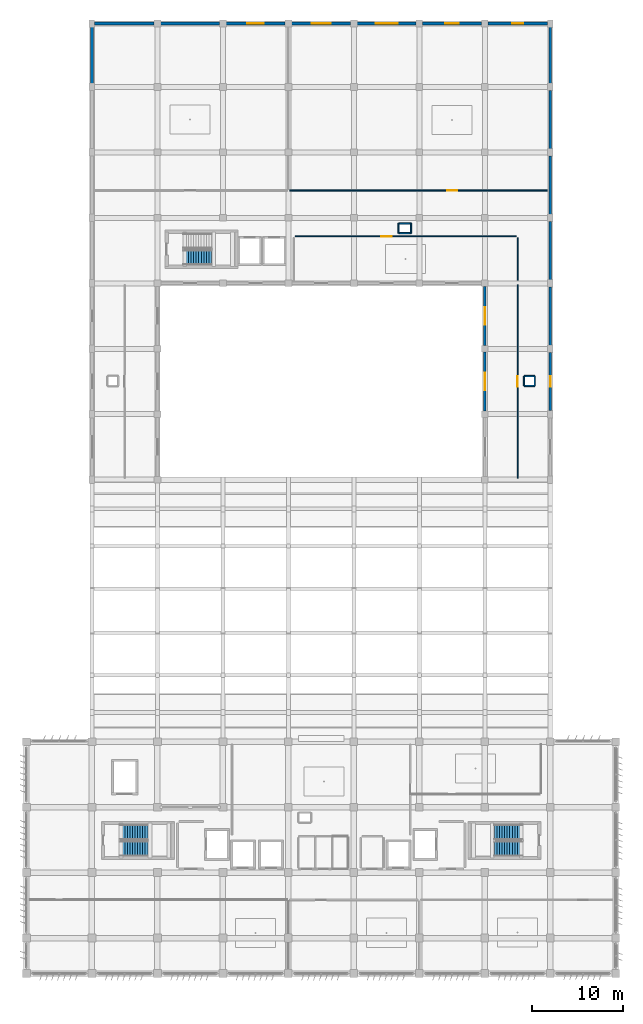
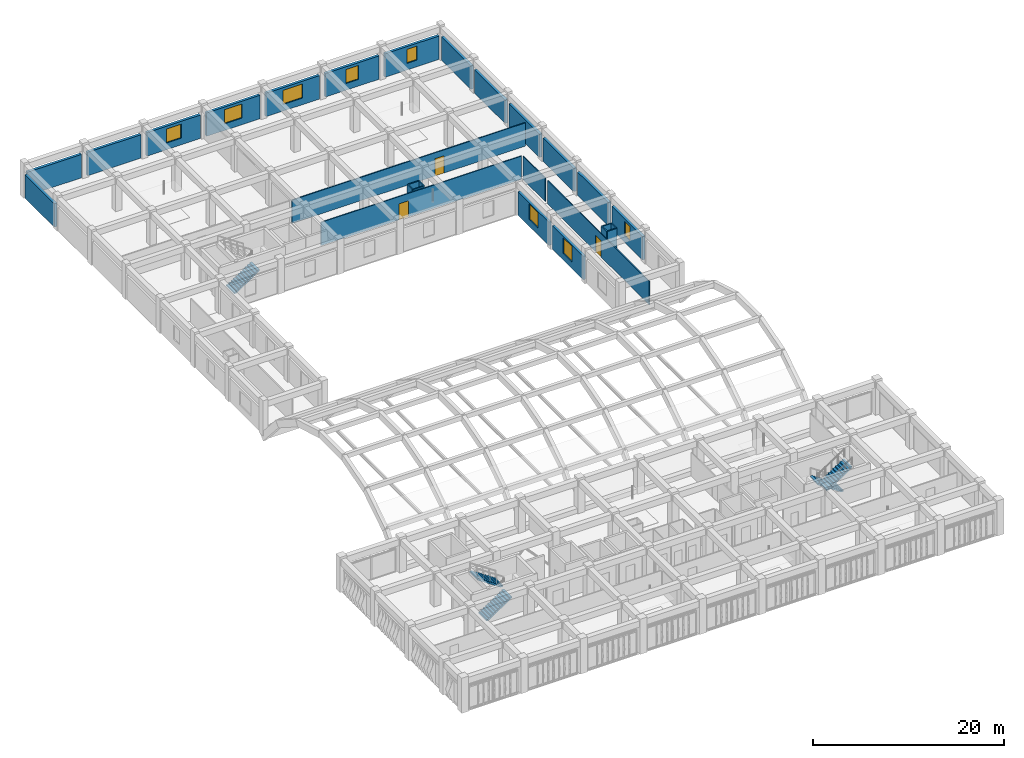
# One storey, part 31 of 48: 28 walls, 8 windows, 5 stair flights, 3 doors, 11 openings, 3 elements without a shape of their own.
"""IFC4 building model written with IfcOpenShell, lengths in metres."""

from ifc_helpers import new_model, si_unit, direction, frame, frame_2d, origin, place, context, subcontext, project, spatial, polyline, rectangle, outline, extrude, material, layer, layer_set, type_object, element, fill, aggregate, save


model = new_model("IFC4")

# Units and contexts
model_context = context("Model", 3, precision=1e-05, world=origin(), true_north=direction((0.0, 1.0)))
body_context = subcontext(model_context, "Body", "Model", "MODEL_VIEW")
ifc_project = project(units=[si_unit("LENGTHUNIT", "METRE"), si_unit("AREAUNIT", "SQUARE_METRE"), si_unit("VOLUMEUNIT", "CUBIC_METRE"), si_unit("PLANEANGLEUNIT", "RADIAN"), si_unit("MASSUNIT", "GRAM", prefix="KILO")], contexts=[model_context])

# Site, building, storey
site_placement = place(None, origin())
site = spatial("IfcSite", under=ifc_project, at=site_placement, CompositionType="ELEMENT")
building_placement = place(site_placement, origin())
building = spatial("IfcBuilding", under=site, at=building_placement, Name="Kazehaya Institute of Natural Sciences", CompositionType="ELEMENT")
storey_placement = place(building_placement, frame((0.0, 0.0, 19.800048828125)))
storey = spatial("IfcBuildingStorey", under=building, at=storey_placement, Name="L04", CompositionType="ELEMENT", Elevation=19.800048828125)

# Wall, opening, window
ifc_material_1 = material(Name="Precast concrete Fc36", Category="concrete")
ifc_layer_1 = layer(ifc_material_1, 0.31005859375, Name="Precast concrete Fc36", Category="concrete")
ifc_layer_set_1 = layer_set([ifc_layer_1], Name="Precast concrete Fc36")
wall_type_1 = type_object("IfcWallType", Name="WL-EXT-310", PredefinedType="SOLIDWALL", material=ifc_layer_set_1)
wall_1_placement = place(storey_placement, frame((105.0, 71.9599609375, 0.0), z_axis=(0.0, 0.0, 1.0), x_axis=(0.0, 1.0, 0.0)))
wall_1 = element("IfcWall", 1, at=wall_1_placement, inside=storey, type_object=wall_type_1, Name="L04 exterior wall EW-L04-0276", PredefinedType="SOLIDWALL", context=body_context, shape_type="SweptSolid", body=[
    extrude(rectangle(XDim=6.47998046875, YDim=0.31005859375, at=frame_2d((3.239990234375, 0.0))), origin(), (0.0, 0.0, 1.0), 3.0),
])
opening_1_placement = place(wall_1_placement, frame((2.2900390625, 0.0, 0.85009765625)))
opening_1 = element("IfcOpeningElement", 2, at=opening_1_placement, cuts=wall_1, Name="Opening W23", PredefinedType="OPENING", context=body_context, shape_type="SweptSolid", body=[
    extrude(rectangle(XDim=1.89990234375, YDim=2.0, at=frame_2d((0.949951171875, 1.0))), frame((0.0, 0.1650390625, 0.0), z_axis=(0.0, -1.0, 0.0), x_axis=(1.0, 0.0, 0.0)), (0.0, 0.0, 1.0), 0.330078125),
])
ifc_material_2 = material(Name="Low-E double-glazed aluminium window", Category="aluminium")
window_type_1 = type_object("IfcWindowType", Name="WN-23", PartitioningType="DOUBLE_PANEL_VERTICAL", PredefinedType="WINDOW", material=ifc_material_2)
window_1_placement = place(opening_1_placement, origin())
window_1 = element("IfcWindow", 3, at=window_1_placement, inside=storey, type_object=window_type_1, Name="L04 facade window 0176", OverallHeight=2.0, OverallWidth=1.89990234375, PartitioningType="DOUBLE_PANEL_VERTICAL", PredefinedType="WINDOW", context=body_context, shape_type="SweptSolid", body=[
    extrude(rectangle(XDim=1.89990234375, YDim=2.0, at=frame_2d((0.949951171875, 1.0))), frame((0.0, 0.030029296875, 0.0), z_axis=(0.0, -1.0, 0.0), x_axis=(1.0, 0.0, 0.0)), (0.0, 0.0, 1.0), 0.06005859375),
])
fill(opening_1, window_1)

wall_2_placement = place(storey_placement, frame((105.0, 79.159912109375, 0.0), z_axis=(0.0, 0.0, 1.0), x_axis=(0.0, 1.0, 0.0)))
wall_2 = element("IfcWall", 4, at=wall_2_placement, inside=storey, type_object=wall_type_1, Name="L04 exterior wall EW-L04-0280", PredefinedType="SOLIDWALL", context=body_context, shape_type="SweptSolid", body=[
    extrude(rectangle(XDim=6.47998046875, YDim=0.31005859375, at=frame_2d((3.239990234375, 0.0))), origin(), (0.0, 0.0, 1.0), 3.0),
])
opening_2_placement = place(wall_2_placement, frame((2.2900390625, 0.0, 0.85009765625)))
opening_2 = element("IfcOpeningElement", 5, at=opening_2_placement, cuts=wall_2, Name="Opening W23", PredefinedType="OPENING", context=body_context, shape_type="SweptSolid", body=[
    extrude(rectangle(XDim=1.89990234375, YDim=2.0, at=frame_2d((0.949951171875, 1.0))), frame((0.0, 0.1650390625, 0.0), z_axis=(0.0, -1.0, 0.0), x_axis=(1.0, 0.0, 0.0)), (0.0, 0.0, 1.0), 0.330078125),
])
window_2_placement = place(opening_2_placement, origin())
window_2 = element("IfcWindow", 6, at=window_2_placement, inside=storey, type_object=window_type_1, Name="L04 facade window 0179", OverallHeight=2.0, OverallWidth=1.89990234375, PartitioningType="DOUBLE_PANEL_VERTICAL", PredefinedType="WINDOW", context=body_context, shape_type="SweptSolid", body=[
    extrude(rectangle(XDim=1.89990234375, YDim=2.0, at=frame_2d((0.949951171875, 1.0))), frame((0.0, 0.030029296875, 0.0), z_axis=(0.0, -1.0, 0.0), x_axis=(1.0, 0.0, 0.0)), (0.0, 0.0, 1.0), 0.06005859375),
])
fill(opening_2, window_2)

ifc_layer_2 = layer(ifc_material_1, 0.320068359375, Name="Precast concrete Fc36", Category="concrete")
ifc_layer_set_2 = layer_set([ifc_layer_2], Name="Precast concrete Fc36")
wall_type_2 = type_object("IfcWallType", Name="WL-EXT-320", PredefinedType="SOLIDWALL", material=ifc_layer_set_2)
wall_3_placement = place(storey_placement, frame((112.199951171875, 78.4150390625, 0.0), z_axis=(0.0, 0.0, 1.0), x_axis=(0.0, -1.0, 0.0)))
wall_3 = element("IfcWall", 7, at=wall_3_placement, inside=storey, type_object=wall_type_2, Name="L04 exterior wall EW-L04-0274", PredefinedType="SOLIDWALL", context=body_context, shape_type="SweptSolid", body=[
    extrude(rectangle(XDim=6.429931640625, YDim=0.320068359375, at=frame_2d((3.21484375, 0.0))), origin(), (0.0, 0.0, 1.0), 3.0),
])
opening_3_placement = place(wall_3_placement, frame((2.614990234375, 0.0, 0.85009765625)))
opening_3 = element("IfcOpeningElement", 8, at=opening_3_placement, cuts=wall_3, Name="Opening W15", PredefinedType="OPENING", context=body_context, shape_type="SweptSolid", body=[
    extrude(rectangle(XDim=1.199951171875, YDim=1.800048828125, at=frame_2d((0.60009765625, 0.89990234375))), frame((0.0, 0.169921875, 0.0), z_axis=(0.0, -1.0, 0.0), x_axis=(1.0, 0.0, 0.0)), (0.0, 0.0, 1.0), 0.340087890625),
])
window_type_2 = type_object("IfcWindowType", Name="WN-15", PartitioningType="SINGLE_PANEL", PredefinedType="WINDOW", material=ifc_material_2)
window_3_placement = place(opening_3_placement, origin())
window_3 = element("IfcWindow", 9, at=window_3_placement, inside=storey, type_object=window_type_2, Name="L04 facade window 0174", OverallHeight=1.800048828125, OverallWidth=1.199951171875, PartitioningType="SINGLE_PANEL", PredefinedType="WINDOW", context=body_context, shape_type="SweptSolid", body=[
    extrude(rectangle(XDim=1.199951171875, YDim=1.800048828125, at=frame_2d((0.60009765625, 0.89990234375))), frame((0.0, 0.030029296875, 0.0), z_axis=(0.0, -1.0, 0.0), x_axis=(1.0, 0.0, 0.0)), (0.0, 0.0, 1.0), 0.06005859375),
])
fill(opening_3, window_3)

# Walls
for number, where, z_axis, x_axis, name in (
    (10, (112.199951171875, 85.614990234375, 0.0), (0.0, 0.0, 1.0), (0.0, -1.0, 0.0), "L04 exterior wall EW-L04-0278"),
    (11, (112.199951171875, 92.81494140625, 0.0), (0.0, 0.0, 1.0), (0.0, -1.0, 0.0), "L04 exterior wall EW-L04-0282"),
    (12, (112.199951171875, 100.014892578125, 0.0), (0.0, 0.0, 1.0), (0.0, -1.0, 0.0), "L04 exterior wall EW-L04-0284"),
):
    element("IfcWall", number, at=place(storey_placement, frame(where, z_axis=z_axis, x_axis=x_axis)), inside=storey, type_object=wall_type_2, Name=name, PredefinedType="SOLIDWALL", context=body_context, shape_type="SweptSolid", body=[
        extrude(rectangle(XDim=6.429931640625, YDim=0.320068359375, at=frame_2d((3.21484375, 0.0))), origin(), (0.0, 0.0, 1.0), 3.0),
    ])
wall_4_placement = place(storey_placement, frame((112.199951171875, 107.215087890625, 0.0), z_axis=(0.0, 0.0, 1.0), x_axis=(0.0, -1.0, 0.0)))
element("IfcWall", 13, at=wall_4_placement, inside=storey, type_object=wall_type_2, Name="L04 exterior wall EW-L04-0286", PredefinedType="SOLIDWALL", context=body_context, shape_type="SweptSolid", body=[
    extrude(rectangle(XDim=6.43017578125, YDim=0.320068359375, at=frame_2d((3.215087890625, 0.0))), origin(), (0.0, 0.0, 1.0), 3.0),
])
for number, where, z_axis, x_axis, name in (
    (14, (61.800048828125, 107.985107421875, 0.0), (0.0, 0.0, 1.0), (0.0, 1.0, 0.0), "L04 exterior wall EW-L04-0287"),
    (15, (112.199951171875, 114.1650390625, 0.0), (0.0, 0.0, 1.0), (0.0, -1.0, 0.0), "L04 exterior wall EW-L04-0288"),
):
    element("IfcWall", number, at=place(storey_placement, frame(where, z_axis=z_axis, x_axis=x_axis)), inside=storey, type_object=wall_type_2, Name=name, PredefinedType="SOLIDWALL", context=body_context, shape_type="SweptSolid", body=[
        extrude(rectangle(XDim=6.179931640625, YDim=0.320068359375, at=frame_2d((3.08984375, 0.0))), origin(), (0.0, 0.0, 1.0), 3.0),
    ])
wall_5_placement = place(storey_placement, frame((62.0849609375, 114.550048828125, 0.0), z_axis=(0.0, 0.0, 1.0), x_axis=(1.0, 0.0, 0.0)))
element("IfcWall", 16, at=wall_5_placement, inside=storey, type_object=wall_type_2, Name="L04 exterior wall EW-L04-0289", PredefinedType="SOLIDWALL", context=body_context, shape_type="SweptSolid", body=[
    extrude(rectangle(XDim=6.554931640625, YDim=0.320068359375, at=frame_2d((3.27734375, 0.0))), origin(), (0.0, 0.0, 1.0), 3.0),
])
wall_6_placement = place(storey_placement, frame((69.360107421875, 114.550048828125, 0.0), z_axis=(0.0, 0.0, 1.0), x_axis=(1.0, 0.0, 0.0)))
element("IfcWall", 17, at=wall_6_placement, inside=storey, type_object=wall_type_2, Name="L04 exterior wall EW-L04-0290", PredefinedType="SOLIDWALL", context=body_context, shape_type="SweptSolid", body=[
    extrude(rectangle(XDim=6.47998046875, YDim=0.320068359375, at=frame_2d((3.239990234375, 0.0))), origin(), (0.0, 0.0, 1.0), 3.0),
])

# Wall, opening, window
wall_7_placement = place(storey_placement, frame((76.56005859375, 114.550048828125, 0.0), z_axis=(0.0, 0.0, 1.0), x_axis=(1.0, 0.0, 0.0)))
wall_7 = element("IfcWall", 18, at=wall_7_placement, inside=storey, type_object=wall_type_2, Name="L04 exterior wall EW-L04-0291", PredefinedType="SOLIDWALL", context=body_context, shape_type="SweptSolid", body=[
    extrude(rectangle(XDim=6.47998046875, YDim=0.320068359375, at=frame_2d((3.239990234375, 0.0))), origin(), (0.0, 0.0, 1.0), 3.0),
])
opening_4_placement = place(wall_7_placement, frame((2.340087890625, 0.0, 0.85009765625)))
opening_4 = element("IfcOpeningElement", 19, at=opening_4_placement, cuts=wall_7, Name="Opening W11", PredefinedType="OPENING", context=body_context, shape_type="SweptSolid", body=[
    extrude(rectangle(XDim=1.800048828125, YDim=1.800048828125, at=frame_2d((0.89990234375, 0.89990234375))), frame((0.0, 0.169921875, 0.0), z_axis=(0.0, -1.0, 0.0), x_axis=(1.0, 0.0, 0.0)), (0.0, 0.0, 1.0), 0.340087890625),
])
window_type_3 = type_object("IfcWindowType", Name="WN-11", PartitioningType="DOUBLE_PANEL_VERTICAL", PredefinedType="WINDOW", material=ifc_material_2)
window_4_placement = place(opening_4_placement, origin())
window_4 = element("IfcWindow", 20, at=window_4_placement, inside=storey, type_object=window_type_3, Name="L04 facade window 0180", OverallHeight=1.800048828125, OverallWidth=1.800048828125, PartitioningType="DOUBLE_PANEL_VERTICAL", PredefinedType="WINDOW", context=body_context, shape_type="SweptSolid", body=[
    extrude(rectangle(XDim=1.800048828125, YDim=1.800048828125, at=frame_2d((0.89990234375, 0.89990234375))), frame((0.0, 0.030029296875, 0.0), z_axis=(0.0, -1.0, 0.0), x_axis=(1.0, 0.0, 0.0)), (0.0, 0.0, 1.0), 0.06005859375),
])
fill(opening_4, window_4)

wall_8_placement = place(storey_placement, frame((83.760009765625, 114.550048828125, 0.0), z_axis=(0.0, 0.0, 1.0), x_axis=(1.0, 0.0, 0.0)))
wall_8 = element("IfcWall", 21, at=wall_8_placement, inside=storey, type_object=wall_type_2, Name="L04 exterior wall EW-L04-0292", PredefinedType="SOLIDWALL", context=body_context, shape_type="SweptSolid", body=[
    extrude(rectangle(XDim=6.47998046875, YDim=0.320068359375, at=frame_2d((3.239990234375, 0.0))), origin(), (0.0, 0.0, 1.0), 3.0),
])
opening_5_placement = place(wall_8_placement, frame((2.18994140625, 0.0, 0.85009765625)))
opening_5 = element("IfcOpeningElement", 22, at=opening_5_placement, cuts=wall_8, Name="Opening W12", PredefinedType="OPENING", context=body_context, shape_type="SweptSolid", body=[
    extrude(rectangle(XDim=2.10009765625, YDim=1.800048828125, at=frame_2d((1.050048828125, 0.89990234375))), frame((0.0, 0.169921875, 0.0), z_axis=(0.0, -1.0, 0.0), x_axis=(1.0, 0.0, 0.0)), (0.0, 0.0, 1.0), 0.340087890625),
])
window_type_4 = type_object("IfcWindowType", Name="WN-12", PartitioningType="DOUBLE_PANEL_VERTICAL", PredefinedType="WINDOW", material=ifc_material_2)
window_5_placement = place(opening_5_placement, origin())
window_5 = element("IfcWindow", 23, at=window_5_placement, inside=storey, type_object=window_type_4, Name="L04 facade window 0181", OverallHeight=1.800048828125, OverallWidth=2.10009765625, PartitioningType="DOUBLE_PANEL_VERTICAL", PredefinedType="WINDOW", context=body_context, shape_type="SweptSolid", body=[
    extrude(rectangle(XDim=2.10009765625, YDim=1.800048828125, at=frame_2d((1.050048828125, 0.89990234375))), frame((0.0, 0.030029296875, 0.0), z_axis=(0.0, -1.0, 0.0), x_axis=(1.0, 0.0, 0.0)), (0.0, 0.0, 1.0), 0.06005859375),
])
fill(opening_5, window_5)

wall_9_placement = place(storey_placement, frame((90.9599609375, 114.550048828125, 0.0), z_axis=(0.0, 0.0, 1.0), x_axis=(1.0, 0.0, 0.0)))
wall_9 = element("IfcWall", 24, at=wall_9_placement, inside=storey, type_object=wall_type_2, Name="L04 exterior wall EW-L04-0293", PredefinedType="SOLIDWALL", context=body_context, shape_type="SweptSolid", body=[
    extrude(rectangle(XDim=6.47998046875, YDim=0.320068359375, at=frame_2d((3.239990234375, 0.0))), origin(), (0.0, 0.0, 1.0), 3.0),
])
opening_6_placement = place(wall_9_placement, frame((2.0400390625, 0.0, 0.85009765625)))
opening_6 = element("IfcOpeningElement", 25, at=opening_6_placement, cuts=wall_9, Name="Opening W13", PredefinedType="OPENING", context=body_context, shape_type="SweptSolid", body=[
    extrude(rectangle(XDim=2.39990234375, YDim=1.800048828125, at=frame_2d((1.199951171875, 0.89990234375))), frame((0.0, 0.169921875, 0.0), z_axis=(0.0, -1.0, 0.0), x_axis=(1.0, 0.0, 0.0)), (0.0, 0.0, 1.0), 0.340087890625),
])
window_type_5 = type_object("IfcWindowType", Name="WN-13", PartitioningType="DOUBLE_PANEL_VERTICAL", PredefinedType="WINDOW", material=ifc_material_2)
window_6_placement = place(opening_6_placement, origin())
window_6 = element("IfcWindow", 26, at=window_6_placement, inside=storey, type_object=window_type_5, Name="L04 facade window 0182", OverallHeight=1.800048828125, OverallWidth=2.39990234375, PartitioningType="DOUBLE_PANEL_VERTICAL", PredefinedType="WINDOW", context=body_context, shape_type="SweptSolid", body=[
    extrude(rectangle(XDim=2.39990234375, YDim=1.800048828125, at=frame_2d((1.199951171875, 0.89990234375))), frame((0.0, 0.030029296875, 0.0), z_axis=(0.0, -1.0, 0.0), x_axis=(1.0, 0.0, 0.0)), (0.0, 0.0, 1.0), 0.06005859375),
])
fill(opening_6, window_6)

wall_10_placement = place(storey_placement, frame((98.159912109375, 114.550048828125, 0.0), z_axis=(0.0, 0.0, 1.0), x_axis=(1.0, 0.0, 0.0)))
wall_10 = element("IfcWall", 27, at=wall_10_placement, inside=storey, type_object=wall_type_2, Name="L04 exterior wall EW-L04-0294", PredefinedType="SOLIDWALL", context=body_context, shape_type="SweptSolid", body=[
    extrude(rectangle(XDim=6.47998046875, YDim=0.320068359375, at=frame_2d((3.239990234375, 0.0))), origin(), (0.0, 0.0, 1.0), 3.0),
])
opening_7_placement = place(wall_10_placement, frame((2.489990234375, 0.0, 0.85009765625)))
opening_7 = element("IfcOpeningElement", 28, at=opening_7_placement, cuts=wall_10, Name="Opening W14", PredefinedType="OPENING", context=body_context, shape_type="SweptSolid", body=[
    extrude(rectangle(XDim=1.5, YDim=1.800048828125, at=frame_2d((0.75, 0.89990234375))), frame((0.0, 0.169921875, 0.0), z_axis=(0.0, -1.0, 0.0), x_axis=(1.0, 0.0, 0.0)), (0.0, 0.0, 1.0), 0.340087890625),
])
window_type_6 = type_object("IfcWindowType", Name="WN-14", PartitioningType="SINGLE_PANEL", PredefinedType="WINDOW", material=ifc_material_2)
window_7_placement = place(opening_7_placement, origin())
window_7 = element("IfcWindow", 29, at=window_7_placement, inside=storey, type_object=window_type_6, Name="L04 facade window 0183", OverallHeight=1.800048828125, OverallWidth=1.5, PartitioningType="SINGLE_PANEL", PredefinedType="WINDOW", context=body_context, shape_type="SweptSolid", body=[
    extrude(rectangle(XDim=1.5, YDim=1.800048828125, at=frame_2d((0.75, 0.89990234375))), frame((0.0, 0.030029296875, 0.0), z_axis=(0.0, -1.0, 0.0), x_axis=(1.0, 0.0, 0.0)), (0.0, 0.0, 1.0), 0.06005859375),
])
fill(opening_7, window_7)

wall_11_placement = place(storey_placement, frame((105.360107421875, 114.550048828125, 0.0), z_axis=(0.0, 0.0, 1.0), x_axis=(1.0, 0.0, 0.0)))
wall_11 = element("IfcWall", 30, at=wall_11_placement, inside=storey, type_object=wall_type_2, Name="L04 exterior wall EW-L04-0295", PredefinedType="SOLIDWALL", context=body_context, shape_type="SweptSolid", body=[
    extrude(rectangle(XDim=6.554931640625, YDim=0.320068359375, at=frame_2d((3.27734375, 0.0))), origin(), (0.0, 0.0, 1.0), 3.0),
])
opening_8_placement = place(wall_11_placement, frame((2.677490234375, 0.0, 0.85009765625)))
opening_8 = element("IfcOpeningElement", 31, at=opening_8_placement, cuts=wall_11, Name="Opening W15", PredefinedType="OPENING", context=body_context, shape_type="SweptSolid", body=[
    extrude(rectangle(XDim=1.199951171875, YDim=1.800048828125, at=frame_2d((0.60009765625, 0.89990234375))), frame((0.0, 0.169921875, 0.0), z_axis=(0.0, -1.0, 0.0), x_axis=(1.0, 0.0, 0.0)), (0.0, 0.0, 1.0), 0.340087890625),
])
window_8_placement = place(opening_8_placement, origin())
window_8 = element("IfcWindow", 32, at=window_8_placement, inside=storey, type_object=window_type_2, Name="L04 facade window 0184", OverallHeight=1.800048828125, OverallWidth=1.199951171875, PartitioningType="SINGLE_PANEL", PredefinedType="WINDOW", context=body_context, shape_type="SweptSolid", body=[
    extrude(rectangle(XDim=1.199951171875, YDim=1.800048828125, at=frame_2d((0.60009765625, 0.89990234375))), frame((0.0, 0.030029296875, 0.0), z_axis=(0.0, -1.0, 0.0), x_axis=(1.0, 0.0, 0.0)), (0.0, 0.0, 1.0), 0.06005859375),
])
fill(opening_8, window_8)

# Wall, opening, door
ifc_material_3 = material(Name="Glazed office demountable partition")
ifc_layer_3 = layer(ifc_material_3, 0.110107421875, Name="Glazed office demountable partition")
ifc_layer_set_3 = layer_set([ifc_layer_3], Name="Glazed office demountable partition")
wall_type_3 = type_object("IfcWallType", Name="WL-PART-110", PredefinedType="PARTITIONING", material=ifc_layer_set_3)
wall_12_placement = place(storey_placement, frame((108.60009765625, 85.85009765625, 0.0), z_axis=(0.0, 0.0, 1.0), x_axis=(0.0, -1.0, 0.0)))
wall_12 = element("IfcWall", 33, at=wall_12_placement, inside=storey, type_object=wall_type_3, Name="L04 Researcher Write-up Office partition IW-L04-0247", PredefinedType="PARTITIONING", context=body_context, shape_type="SweptSolid", body=[
    extrude(rectangle(XDim=21.300048828125, YDim=0.110107421875, at=frame_2d((10.64990234375, 0.0))), origin(), (0.0, 0.0, 1.0), 2.97998046875),
])
opening_9_placement = place(wall_12_placement, frame((10.094970703125, 0.0, 0.0)))
opening_9 = element("IfcOpeningElement", 34, at=opening_9_placement, cuts=wall_12, Name="Opening D-L04-0150", PredefinedType="OPENING", context=body_context, shape_type="SweptSolid", body=[
    extrude(rectangle(XDim=1.110107421875, YDim=2.10009765625, at=frame_2d((0.55517578125, 1.050048828125))), frame((0.0, 0.06494140625, 0.0), z_axis=(0.0, -1.0, 0.0), x_axis=(1.0, 0.0, 0.0)), (0.0, 0.0, 1.0), 0.130126953125),
])
ifc_material_4 = material(Name="Flush timber and aluminium laboratory door", Category="wood")
door_type_1 = type_object("IfcDoorType", Name="DT-INT-26", OperationType="NOTDEFINED", PredefinedType="DOOR", material=ifc_material_4)
door_1_placement = place(opening_9_placement, origin())
door_1 = element("IfcDoor", 35, at=door_1_placement, inside=storey, type_object=door_type_1, Name="L04 Researcher Write-up Office door D-L04-0150", OperationType="SINGLE_SWING_RIGHT", OverallHeight=2.10009765625, OverallWidth=1.110107421875, PredefinedType="DOOR", context=body_context, shape_type="SweptSolid", body=[
    extrude(rectangle(XDim=1.110107421875, YDim=2.10009765625, at=frame_2d((0.55517578125, 1.050048828125))), frame((0.0, 0.02490234375, 0.0), z_axis=(0.0, -1.0, 0.0), x_axis=(1.0, 0.0, 0.0)), (0.0, 0.0, 1.0), 0.050048828125),
])
fill(opening_9, door_1)

wall_13_placement = place(storey_placement, frame((84.14990234375, 91.14990234375, 0.0), z_axis=(0.0, 0.0, 1.0), x_axis=(1.0, 0.0, 0.0)))
wall_13 = element("IfcWall", 36, at=wall_13_placement, inside=storey, type_object=wall_type_3, Name="L04 Researcher Write-up Office partition IW-L04-0251", PredefinedType="PARTITIONING", context=body_context, shape_type="SweptSolid", body=[
    extrude(rectangle(XDim=24.300048828125, YDim=0.110107421875, at=frame_2d((12.14990234375, 0.0))), origin(), (0.0, 0.0, 1.0), 2.97998046875),
])
opening_10_placement = place(wall_13_placement, frame((9.47509765625, 0.0, 0.0)))
opening_10 = element("IfcOpeningElement", 37, at=opening_10_placement, cuts=wall_13, Name="Opening D-L04-0153", PredefinedType="OPENING", context=body_context, shape_type="SweptSolid", body=[
    extrude(rectangle(XDim=1.14990234375, YDim=2.050048828125, at=frame_2d((0.574951171875, 1.02490234375))), frame((0.0, 0.06494140625, 0.0), z_axis=(0.0, -1.0, 0.0), x_axis=(1.0, 0.0, 0.0)), (0.0, 0.0, 1.0), 0.130126953125),
])
door_type_2 = type_object("IfcDoorType", Name="DT-INT-29", OperationType="NOTDEFINED", PredefinedType="DOOR", material=ifc_material_4)
door_2_placement = place(opening_10_placement, origin())
door_2 = element("IfcDoor", 38, at=door_2_placement, inside=storey, type_object=door_type_2, Name="L04 Researcher Write-up Office door D-L04-0153", OperationType="SINGLE_SWING_LEFT", OverallHeight=2.050048828125, OverallWidth=1.14990234375, PredefinedType="DOOR", context=body_context, shape_type="SweptSolid", body=[
    extrude(rectangle(XDim=1.14990234375, YDim=2.050048828125, at=frame_2d((0.574951171875, 1.02490234375))), frame((0.0, 0.02490234375, 0.0), z_axis=(0.0, -1.0, 0.0), x_axis=(1.0, 0.0, 0.0)), (0.0, 0.0, 1.0), 0.050048828125),
])
fill(opening_10, door_2)

# Wall
wall_14_placement = place(storey_placement, frame((108.60009765625, 91.0, 0.0), z_axis=(0.0, 0.0, 1.0), x_axis=(0.0, -1.0, 0.0)))
element("IfcWall", 39, at=wall_14_placement, inside=storey, type_object=wall_type_3, Name="L04 Researcher Write-up Office partition IW-L04-0253", PredefinedType="PARTITIONING", context=body_context, shape_type="SweptSolid", body=[
    extrude(rectangle(XDim=4.64990234375, YDim=0.110107421875, at=frame_2d((2.324951171875, 0.0))), origin(), (0.0, 0.0, 1.0), 2.97998046875),
])

# Wall, opening, door
ifc_material_5 = material(Name="Gypsum write-up office partition", Category="gypsum")
ifc_layer_4 = layer(ifc_material_5, 0.1201171875, Name="Gypsum write-up office partition", Category="gypsum")
ifc_layer_set_4 = layer_set([ifc_layer_4], Name="Gypsum write-up office partition")
wall_type_4 = type_object("IfcWallType", Name="WL-PART-120", PredefinedType="PARTITIONING", material=ifc_layer_set_4)
wall_15_placement = place(storey_placement, frame((111.85009765625, 96.199951171875, 0.0), z_axis=(0.0, 0.0, 1.0), x_axis=(-1.0, 0.0, 0.0)))
wall_15 = element("IfcWall", 40, at=wall_15_placement, inside=storey, type_object=wall_type_4, Name="L04 Photonics Optics Laboratory partition IW-L04-0250", PredefinedType="PARTITIONING", context=body_context, shape_type="SweptSolid", body=[
    extrude(rectangle(XDim=28.300048828125, YDim=0.1201171875, at=frame_2d((14.14990234375, 0.0))), origin(), (0.0, 0.0, 1.0), 2.97998046875),
])
opening_11_placement = place(wall_15_placement, frame((9.89501953125, 0.0, 0.0)))
opening_11 = element("IfcOpeningElement", 41, at=opening_11_placement, cuts=wall_15, Name="Opening D-L04-0152", PredefinedType="OPENING", context=body_context, shape_type="SweptSolid", body=[
    extrude(rectangle(XDim=1.110107421875, YDim=2.219970703125, at=frame_2d((0.55517578125, 1.10986328125))), frame((0.0, 0.070068359375, 0.0), z_axis=(0.0, -1.0, 0.0), x_axis=(1.0, 0.0, 0.0)), (0.0, 0.0, 1.0), 0.14013671875),
])
door_type_3 = type_object("IfcDoorType", Name="DT-INT-28", OperationType="NOTDEFINED", PredefinedType="DOOR", material=ifc_material_4)
door_3_placement = place(opening_11_placement, origin())
door_3 = element("IfcDoor", 42, at=door_3_placement, inside=storey, type_object=door_type_3, Name="L04 Photonics Optics Laboratory door D-L04-0152", OperationType="SINGLE_SWING_RIGHT", OverallHeight=2.219970703125, OverallWidth=1.110107421875, PredefinedType="DOOR", context=body_context, shape_type="SweptSolid", body=[
    extrude(rectangle(XDim=1.110107421875, YDim=2.219970703125, at=frame_2d((0.55517578125, 1.10986328125))), frame((0.0, 0.02490234375, 0.0), z_axis=(0.0, -1.0, 0.0), x_axis=(1.0, 0.0, 0.0)), (0.0, 0.0, 1.0), 0.050048828125),
])
fill(opening_11, door_3)

# Walls
ifc_material_6 = material(Name="Concrete Fc36", Category="concrete")
ifc_layer_5 = layer(ifc_material_6, 0.14990234375, Name="Concrete Fc36", Category="concrete")
ifc_layer_set_5 = layer_set([ifc_layer_5], Name="Concrete Fc36")
wall_type_5 = type_object("IfcWallType", Name="WL-RISER-150", PredefinedType="PARTITIONING", material=ifc_layer_set_5)
for number, where, z_axis, x_axis, name in (
    (43, (110.485107421875, 74.715087890625, 0.0), (0.0, 0.0, 1.0), (-1.0, 0.0, 0.0), "L04 fume exhaust riser shaft wall 37"),
    (44, (109.31494140625, 75.784912109375, 0.0), (0.0, 0.0, 1.0), (1.0, 0.0, 0.0), "L04 fume exhaust riser shaft wall 37"),
):
    element("IfcWall", number, at=place(storey_placement, frame(where, z_axis=z_axis, x_axis=x_axis)), inside=storey, type_object=wall_type_5, Name=name, PredefinedType="PARTITIONING", context=body_context, shape_type="SweptSolid", body=[
        extrude(rectangle(XDim=1.170166015625, YDim=0.14990234375, at=frame_2d((0.5849609375, 0.0))), origin(), (0.0, 0.0, 1.0), 2.97998046875),
    ])
for number, where, z_axis, x_axis, name in (
    (45, (109.31494140625, 74.715087890625, 0.0), (0.0, 0.0, 1.0), (0.0, 1.0, 0.0), "L04 fume exhaust riser shaft wall 37"),
    (46, (110.485107421875, 75.784912109375, 0.0), (0.0, 0.0, 1.0), (0.0, -1.0, 0.0), "L04 fume exhaust riser shaft wall 37"),
):
    element("IfcWall", number, at=place(storey_placement, frame(where, z_axis=z_axis, x_axis=x_axis)), inside=storey, type_object=wall_type_5, Name=name, PredefinedType="PARTITIONING", context=body_context, shape_type="SweptSolid", body=[
        extrude(rectangle(XDim=1.06982421875, YDim=0.14990234375, at=frame_2d((0.534912109375, 0.0))), origin(), (0.0, 0.0, 1.0), 2.97998046875),
    ])
for number, where, z_axis, x_axis, name in (
    (47, (96.885009765625, 91.514892578125, 0.0), (0.0, 0.0, 1.0), (-1.0, 0.0, 0.0), "L04 fume exhaust riser shaft wall 38"),
    (48, (95.514892578125, 92.5849609375, 0.0), (0.0, 0.0, 1.0), (1.0, 0.0, 0.0), "L04 fume exhaust riser shaft wall 38"),
):
    element("IfcWall", number, at=place(storey_placement, frame(where, z_axis=z_axis, x_axis=x_axis)), inside=storey, type_object=wall_type_5, Name=name, PredefinedType="PARTITIONING", context=body_context, shape_type="SweptSolid", body=[
        extrude(rectangle(XDim=1.3701171875, YDim=0.14990234375, at=frame_2d((0.68505859375, 0.0))), origin(), (0.0, 0.0, 1.0), 2.97998046875),
    ])
for number, where, z_axis, x_axis, name in (
    (49, (95.514892578125, 91.514892578125, 0.0), (0.0, 0.0, 1.0), (0.0, 1.0, 0.0), "L04 fume exhaust riser shaft wall 38"),
    (50, (96.885009765625, 92.5849609375, 0.0), (0.0, 0.0, 1.0), (0.0, -1.0, 0.0), "L04 fume exhaust riser shaft wall 38"),
):
    element("IfcWall", number, at=place(storey_placement, frame(where, z_axis=z_axis, x_axis=x_axis)), inside=storey, type_object=wall_type_5, Name=name, PredefinedType="PARTITIONING", context=body_context, shape_type="SweptSolid", body=[
        extrude(rectangle(XDim=1.070068359375, YDim=0.14990234375, at=frame_2d((0.53515625, 0.0))), origin(), (0.0, 0.0, 1.0), 2.97998046875),
    ])

# Stair, stair flights
stair_type = type_object("IfcStairType", Name="STR-DOG-4500", PredefinedType="HALF_TURN_STAIR", material=ifc_material_6)
stair_1_placement = place(storey_placement, origin())
stair_1 = element("IfcStair", 51, at=stair_1_placement, inside=storey, type_object=stair_type, Name="L04 Protected Escape Stair ST-1", PredefinedType="HALF_TURN_STAIR")
stair_flight_type = type_object("IfcStairFlightType", Name="STF-DOG-4500", PredefinedType="STRAIGHT", material=ifc_material_6)
stair_flight_1_placement = place(storey_placement, frame((64.860107421875, 23.830078125, 0.0), z_axis=(0.0, 0.0, 1.0), x_axis=(1.0, 0.0, 0.0)))
stair_flight_1 = element("IfcStairFlight", 52, at=stair_flight_1_placement, type_object=stair_flight_type, Name="ST-1 flight 1", NumberOfRisers=12, NumberOfTreads=11, PredefinedType="STRAIGHT", RiserHeight=0.1875, TreadLength=0.28, context=body_context, shape_type="SweptSolid", body=[
    extrude(outline(polyline([(0.0, 0.0), (0.0, 0.1875), (0.280029296875, 0.1875), (0.280029296875, 0.375), (0.56005859375, 0.375), (0.56005859375, 0.5625), (0.840087890625, 0.5625), (0.840087890625, 0.75), (1.1201171875, 0.75), (1.1201171875, 0.9375), (1.39990234375, 0.9375), (1.39990234375, 1.125), (1.679931640625, 1.125), (1.679931640625, 1.3125), (1.9599609375, 1.3125), (1.9599609375, 1.5), (2.239990234375, 1.5), (2.239990234375, 1.6875), (2.52001953125, 1.6875), (2.52001953125, 1.875), (2.800048828125, 1.875), (2.800048828125, 2.0625), (3.080078125, 2.0625), (3.080078125, 2.25), (3.080078125, 1.882080078125), (0.26953125, 0.0), (0.0, 0.0)])), frame((0.0, 0.830078125, 0.0), z_axis=(0.0, -1.0, 0.0), x_axis=(1.0, 0.0, 0.0)), (0.0, 0.0, 1.0), 1.659912109375),
])
stair_flight_2_placement = place(storey_placement, frame((67.93994140625, 25.64990234375, 2.25), z_axis=(0.0, 0.0, 1.0), x_axis=(-1.0, 0.0, 0.0)))
stair_flight_2 = element("IfcStairFlight", 53, at=stair_flight_2_placement, type_object=stair_flight_type, Name="ST-1 flight 2", NumberOfRisers=12, NumberOfTreads=11, PredefinedType="STRAIGHT", RiserHeight=0.1875, TreadLength=0.28, context=body_context, shape_type="SweptSolid", body=[
    extrude(outline(polyline([(0.0, 0.0), (0.0, 0.1875), (0.280029296875, 0.1875), (0.280029296875, 0.375), (0.56005859375, 0.375), (0.56005859375, 0.5625), (0.840087890625, 0.5625), (0.840087890625, 0.75), (1.1201171875, 0.75), (1.1201171875, 0.9375), (1.39990234375, 0.9375), (1.39990234375, 1.125), (1.679931640625, 1.125), (1.679931640625, 1.3125), (1.9599609375, 1.3125), (1.9599609375, 1.5), (2.239990234375, 1.5), (2.239990234375, 1.6875), (2.52001953125, 1.6875), (2.52001953125, 1.875), (2.800048828125, 1.875), (2.800048828125, 2.0625), (3.080078125, 2.0625), (3.080078125, 2.25), (3.080078125, 1.882080078125), (0.26953125, 0.0), (0.0, 0.0)])), frame((0.0, 0.830078125, 0.0), z_axis=(0.0, -1.0, 0.0), x_axis=(1.0, 0.0, 0.0)), (0.0, 0.0, 1.0), 1.659912109375),
])
aggregate(stair_1, [stair_flight_1, stair_flight_2])

stair_2_placement = place(storey_placement, origin())
stair_2 = element("IfcStair", 54, at=stair_2_placement, inside=storey, type_object=stair_type, Name="L04 Protected Escape Stair ST-2", PredefinedType="HALF_TURN_STAIR")
stair_flight_3_placement = place(storey_placement, frame((109.139892578125, 25.64990234375, 0.0), z_axis=(0.0, 0.0, 1.0), x_axis=(-1.0, 0.0, 0.0)))
stair_flight_3 = element("IfcStairFlight", 55, at=stair_flight_3_placement, type_object=stair_flight_type, Name="ST-2 flight 1", NumberOfRisers=12, NumberOfTreads=11, PredefinedType="STRAIGHT", RiserHeight=0.1875, TreadLength=0.28, context=body_context, shape_type="SweptSolid", body=[
    extrude(outline(polyline([(0.0, 0.0), (0.0, 0.1875), (0.280029296875, 0.1875), (0.280029296875, 0.375), (0.56005859375, 0.375), (0.56005859375, 0.5625), (0.840087890625, 0.5625), (0.840087890625, 0.75), (1.1201171875, 0.75), (1.1201171875, 0.9375), (1.39990234375, 0.9375), (1.39990234375, 1.125), (1.679931640625, 1.125), (1.679931640625, 1.3125), (1.9599609375, 1.3125), (1.9599609375, 1.5), (2.239990234375, 1.5), (2.239990234375, 1.6875), (2.52001953125, 1.6875), (2.52001953125, 1.875), (2.800048828125, 1.875), (2.800048828125, 2.0625), (3.080078125, 2.0625), (3.080078125, 2.25), (3.080078125, 1.882080078125), (0.26953125, 0.0), (0.0, 0.0)])), frame((0.0, 0.830078125, 0.0), z_axis=(0.0, -1.0, 0.0), x_axis=(1.0, 0.0, 0.0)), (0.0, 0.0, 1.0), 1.659912109375),
])
stair_flight_4_placement = place(storey_placement, frame((106.06005859375, 23.830078125, 2.25), z_axis=(0.0, 0.0, 1.0), x_axis=(1.0, 0.0, 0.0)))
stair_flight_4 = element("IfcStairFlight", 56, at=stair_flight_4_placement, type_object=stair_flight_type, Name="ST-2 flight 2", NumberOfRisers=12, NumberOfTreads=11, PredefinedType="STRAIGHT", RiserHeight=0.1875, TreadLength=0.28, context=body_context, shape_type="SweptSolid", body=[
    extrude(outline(polyline([(0.0, 0.0), (0.0, 0.1875), (0.280029296875, 0.1875), (0.280029296875, 0.375), (0.56005859375, 0.375), (0.56005859375, 0.5625), (0.840087890625, 0.5625), (0.840087890625, 0.75), (1.1201171875, 0.75), (1.1201171875, 0.9375), (1.39990234375, 0.9375), (1.39990234375, 1.125), (1.679931640625, 1.125), (1.679931640625, 1.3125), (1.9599609375, 1.3125), (1.9599609375, 1.5), (2.239990234375, 1.5), (2.239990234375, 1.6875), (2.52001953125, 1.6875), (2.52001953125, 1.875), (2.800048828125, 1.875), (2.800048828125, 2.0625), (3.080078125, 2.0625), (3.080078125, 2.25), (3.080078125, 1.882080078125), (0.26953125, 0.0), (0.0, 0.0)])), frame((0.0, 0.830078125, 0.0), z_axis=(0.0, -1.0, 0.0), x_axis=(1.0, 0.0, 0.0)), (0.0, 0.0, 1.0), 1.659912109375),
])
aggregate(stair_2, [stair_flight_3, stair_flight_4])

# Stair, stair flight
stair_3_placement = place(storey_placement, origin())
stair_3 = element("IfcStair", 57, at=stair_3_placement, inside=storey, type_object=stair_type, Name="L04 Protected Escape Stair ST-3", PredefinedType="HALF_TURN_STAIR")
stair_flight_5_placement = place(storey_placement, frame((71.860107421875, 88.830078125, 0.0), z_axis=(0.0, 0.0, 1.0), x_axis=(1.0, 0.0, 0.0)))
stair_flight_5 = element("IfcStairFlight", 58, at=stair_flight_5_placement, type_object=stair_flight_type, Name="ST-3 flight 1", NumberOfRisers=12, NumberOfTreads=11, PredefinedType="STRAIGHT", RiserHeight=0.1875, TreadLength=0.28, context=body_context, shape_type="SweptSolid", body=[
    extrude(outline(polyline([(0.0, 0.0), (0.0, 0.1875), (0.280029296875, 0.1875), (0.280029296875, 0.375), (0.56005859375, 0.375), (0.56005859375, 0.5625), (0.840087890625, 0.5625), (0.840087890625, 0.75), (1.1201171875, 0.75), (1.1201171875, 0.9375), (1.39990234375, 0.9375), (1.39990234375, 1.125), (1.679931640625, 1.125), (1.679931640625, 1.3125), (1.9599609375, 1.3125), (1.9599609375, 1.5), (2.239990234375, 1.5), (2.239990234375, 1.6875), (2.52001953125, 1.6875), (2.52001953125, 1.875), (2.800048828125, 1.875), (2.800048828125, 2.0625), (3.080078125, 2.0625), (3.080078125, 2.25), (3.080078125, 1.882080078125), (0.26953125, 0.0), (0.0, 0.0)])), frame((0.0, 0.830078125, 0.0), z_axis=(0.0, -1.0, 0.0), x_axis=(1.0, 0.0, 0.0)), (0.0, 0.0, 1.0), 1.659912109375),
])
aggregate(stair_3, [stair_flight_5])

save(model, "model.ifc")
